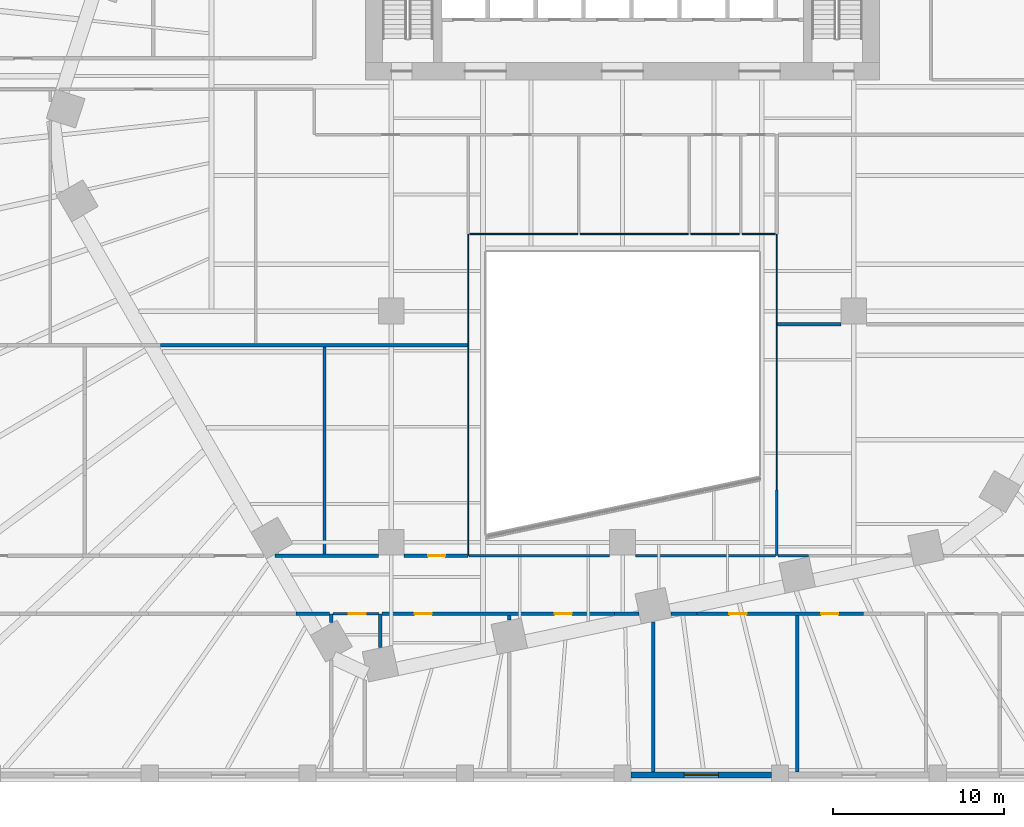
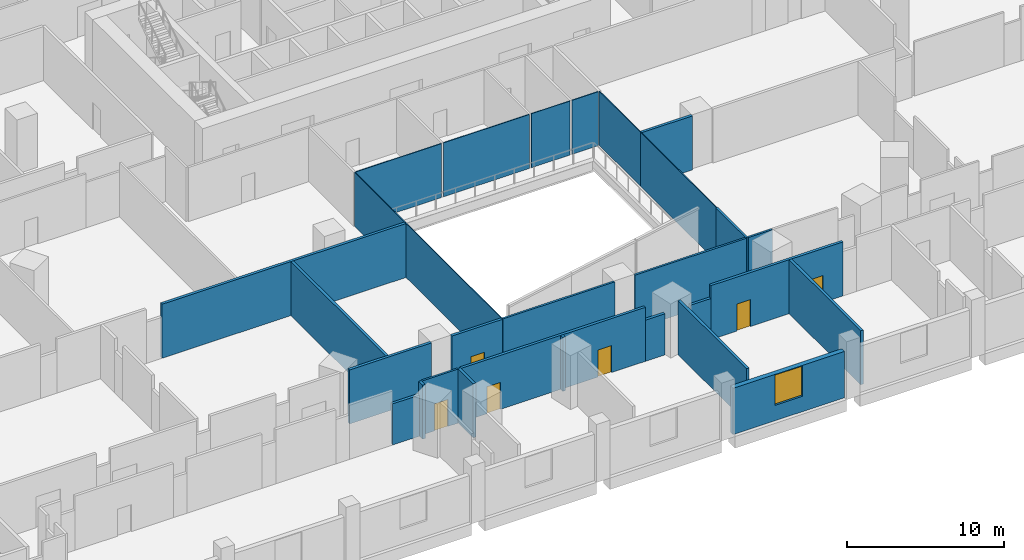
# One storey, part 15 of 29: 29 walls, 6 doors, 1 window, 7 openings.
"""IFC4 building model written with IfcOpenShell, lengths in metres."""

import ifcopenshell
import ifcopenshell.guid

model = None  # the IFC model being written
_history = None  # IfcOwnerHistory: only IFC2X3 demands one
_inside = {}  # id of a spatial element -> (the spatial element, [elements in it])
_under = {}  # id of a project, library or spatial element -> (it, [spatial elements below it])
_declared = {}  # id of a project -> (the project, [libraries it declares])
_typed = {}  # id of a type object -> (the type object, [elements of that type])
_made_of = {}  # id of a material, layer set ... -> (it, [elements and type objects made of it])


def new_model(schema):
    """Start an empty IFC model of exactly this schema.

    Asked for "IFC4X3", IfcOpenShell would pick the latest addendum, in which some entities
    have other attributes; the version numbers below select the first issue.
    IFC2X3 requires an IfcOwnerHistory on every rooted entity: one is made here for all.
    """
    global model, _history
    if schema == "IFC4X3":
        model = ifcopenshell.file(schema_version=(4, 3, 0, 0))
    else:
        model = ifcopenshell.file(schema=schema)
    _inside.clear()
    _under.clear()
    _declared.clear()
    _typed.clear()
    _made_of.clear()
    _history = None
    if model.schema == "IFC2X3":
        org = make("IfcOrganization", Name="unknown")
        user = make(
            "IfcPersonAndOrganization",
            ThePerson=make("IfcPerson", FamilyName="unknown"),
            TheOrganization=org,
        )
        app = make(
            "IfcApplication",
            ApplicationDeveloper=org,
            Version="unknown",
            ApplicationFullName="unknown",
            ApplicationIdentifier="unknown",
        )
        _history = make(
            "IfcOwnerHistory",
            OwningUser=user,
            OwningApplication=app,
            ChangeAction="ADDED",
            CreationDate=0,
        )
    return model


def make(cls, **values):
    """One entity of the class cls with the attributes given. An attribute that is None is left unset."""
    return model.create_entity(
        cls, **{name: value for name, value in values.items() if value is not None}
    )


def rooted(cls, **values):
    """An entity with a GlobalId (a new one), such as an element, a storey or a relation."""
    return make(cls, GlobalId=ifcopenshell.guid.new(), OwnerHistory=_history, **values)


def si_unit(unit_type, name, prefix=None):
    """IfcSIUnit, for example si_unit("LENGTHUNIT", "METRE", prefix="MILLI")."""
    return make("IfcSIUnit", UnitType=unit_type, Prefix=prefix, Name=name)


def assignment(units):
    """IfcUnitAssignment: the units of a project."""
    return None if units is None else make("IfcUnitAssignment", Units=units)


def point(xyz):
    """IfcCartesianPoint."""
    return None if xyz is None else make("IfcCartesianPoint", Coordinates=xyz)


def direction(xyz):
    """IfcDirection."""
    return None if xyz is None else make("IfcDirection", DirectionRatios=xyz)


def frame(location, z_axis=None, x_axis=None):
    """IfcAxis2Placement3D, a coordinate frame: its origin and axes. An axis left out is left unset."""
    return make(
        "IfcAxis2Placement3D",
        Location=point(location),
        Axis=direction(z_axis),
        RefDirection=direction(x_axis),
    )


def frame_2d(location, x_axis=None):
    """IfcAxis2Placement2D, a coordinate frame in the plane: its origin and x axis."""
    return make(
        "IfcAxis2Placement2D", Location=point(location), RefDirection=direction(x_axis)
    )


def origin():
    """The frame at (0, 0, 0) with its axes left unset."""
    return frame((0.0, 0.0, 0.0))


def place(relative_to, where):
    """IfcLocalPlacement: puts the frame where relative to a parent placement (None: the world)."""
    return make(
        "IfcLocalPlacement", PlacementRelTo=relative_to, RelativePlacement=where
    )


def context(
    kind, dimensions, precision=None, world=None, true_north=None, identifier=None
):
    """IfcGeometricRepresentationContext, for example the 3D "Model" context."""
    return make(
        "IfcGeometricRepresentationContext",
        ContextIdentifier=identifier,
        ContextType=kind,
        CoordinateSpaceDimension=dimensions,
        Precision=precision,
        WorldCoordinateSystem=world,
        TrueNorth=true_north,
    )


def subcontext(parent, identifier, kind, view, scale=None):
    """IfcGeometricRepresentationSubContext, for example "Body" below "Model"."""
    return make(
        "IfcGeometricRepresentationSubContext",
        ContextIdentifier=identifier,
        ContextType=kind,
        ParentContext=parent,
        TargetScale=scale,
        TargetView=view,
    )


def project(units=None, contexts=None):
    """IfcProject with its units and contexts."""
    return rooted(
        "IfcProject",
        Name="project",
        RepresentationContexts=contexts,
        UnitsInContext=assignment(units),
    )


def spatial(cls, under=None, at=None, **own):
    """A site, building, storey or space (cls), placed at a placement, below another one or the project."""
    s = rooted(cls, ObjectPlacement=at, **own)
    if under is not None:
        _under.setdefault(under.id(), (under, []))[1].append(s)
    return s


def profile(cls, at=None, kind="AREA", **sizes):
    """A parametric profile (cls). Its sizes go by their IFC names, for example OverallWidth=200.0."""
    return make(cls, ProfileType=kind, Position=at, **sizes)


def rectangle(**sizes):
    """IfcRectangleProfileDef."""
    return profile("IfcRectangleProfileDef", **sizes)


def extrude(swept, where, along, depth):
    """IfcExtrudedAreaSolid: the profile swept, set in the frame where, extruded along a direction by depth."""
    return make(
        "IfcExtrudedAreaSolid",
        SweptArea=swept,
        Position=where,
        ExtrudedDirection=direction(along),
        Depth=depth,
    )


def shape(context_of_items, identifier, shape_type, items):
    """IfcShapeRepresentation: the items that make up one representation, for example the "Body"."""
    return make(
        "IfcShapeRepresentation",
        ContextOfItems=context_of_items,
        RepresentationIdentifier=identifier,
        RepresentationType=shape_type,
        Items=items,
    )


def material(Name=None, Category=None):
    """IfcMaterial."""
    return make("IfcMaterial", Name=Name, Category=Category)


def layer(
    of_material, thickness, ventilated=None, Name=None, Category=None, Priority=None
):
    """IfcMaterialLayer: one layer of a wall or slab, of a material (None: an air gap)."""
    return make(
        "IfcMaterialLayer",
        Material=of_material,
        LayerThickness=thickness,
        IsVentilated=ventilated,
        Name=Name,
        Category=Category,
        Priority=Priority,
    )


def layer_set(layers, Name=None):
    """IfcMaterialLayerSet."""
    return make("IfcMaterialLayerSet", MaterialLayers=layers, LayerSetName=Name)


def made_of(thing, what):
    """Note that an element or type object is made of a material, layer set ...; save() writes the relation."""
    if what is not None:
        _made_of.setdefault(what.id(), (what, []))[1].append(thing)
    return thing


def type_object(cls, material=None, **own):
    """A type object (cls), such as IfcWallType, which elements share."""
    return made_of(rooted(cls, **own), material)


def element(
    cls,
    number,
    at=None,
    inside=None,
    cuts=None,
    type_object=None,
    material=None,
    context=None,
    identifier="Body",
    shape_type=None,
    held_by="IfcProductDefinitionShape",
    body=None,
    shapes=None,
    **own,
):
    """One element of the class cls, such as IfcWall. Its Tag is "e" and its number.

    at: its placement. inside: the storey or other place that contains it. cuts: it is an
    opening in that element (IfcRelVoidsElement). A single representation is given by context,
    identifier, shape_type and body (its items); several are given by shapes. held_by: the class
    of the entity that holds the representations. save() writes the other relations.
    """
    e = rooted(cls, Tag="e%d" % number, ObjectPlacement=at, **own)
    if body is not None:
        shapes = [shape(context, identifier, shape_type, body)]
    if shapes is not None:
        e.Representation = make(held_by, Representations=shapes)
    if inside is not None:
        _inside.setdefault(inside.id(), (inside, []))[1].append(e)
    if cuts is not None:
        rooted(
            "IfcRelVoidsElement", RelatingBuildingElement=cuts, RelatedOpeningElement=e
        )
    if type_object is not None:
        _typed.setdefault(type_object.id(), (type_object, []))[1].append(e)
    return made_of(e, material)


def fill(opening, filler):
    """IfcRelFillsElement: the door or window that sits in an opening."""
    return rooted(
        "IfcRelFillsElement",
        RelatingOpeningElement=opening,
        RelatedBuildingElement=filler,
    )


def aggregate(whole, parts):
    """IfcRelAggregates: a whole, such as a stair, and the parts it consists of."""
    return rooted("IfcRelAggregates", RelatingObject=whole, RelatedObjects=parts)


def save(model, path):
    """Write the relations noted so far, then the file.

    IfcRelAggregates (storeys below a building ...), IfcRelContainedInSpatialStructure (elements
    in a storey), IfcRelDefinesByType, IfcRelAssociatesMaterial and IfcRelDeclares: one each for
    every whole, place, type object, material and project.
    """
    for whole, parts in _under.values():
        aggregate(whole, parts)
    for where, things in _inside.values():
        rooted(
            "IfcRelContainedInSpatialStructure",
            RelatedElements=things,
            RelatingStructure=where,
        )
    for kind, things in _typed.values():
        rooted("IfcRelDefinesByType", RelatedObjects=things, RelatingType=kind)
    for what, things in _made_of.values():
        rooted("IfcRelAssociatesMaterial", RelatedObjects=things, RelatingMaterial=what)
    for by, libraries in _declared.values():
        rooted("IfcRelDeclares", RelatingContext=by, RelatedDefinitions=libraries)
    model.write(path)


model = new_model("IFC4")

# Units and contexts
model_context = context("Model", 3, precision=1e-05, world=origin(), true_north=direction((0.0, 1.0)))
body_context = subcontext(model_context, "Body", "Model", "MODEL_VIEW")
ifc_project = project(units=[si_unit("LENGTHUNIT", "METRE"), si_unit("AREAUNIT", "SQUARE_METRE"), si_unit("VOLUMEUNIT", "CUBIC_METRE"), si_unit("PLANEANGLEUNIT", "RADIAN"), si_unit("MASSUNIT", "GRAM", prefix="KILO")], contexts=[model_context])

# Site, building, storey
site_placement = place(None, origin())
site = spatial("IfcSite", under=ifc_project, at=site_placement, CompositionType="ELEMENT")
building_placement = place(site_placement, origin())
building = spatial("IfcBuilding", under=site, at=building_placement, Name="Isthmus Gate Tower", CompositionType="ELEMENT")
storey_placement = place(building_placement, frame((0.0, 0.0, 27.0)))
storey = spatial("IfcBuildingStorey", under=building, at=storey_placement, Name="L04", CompositionType="ELEMENT", Elevation=27.0)

# Wall
ifc_material_1 = material(Name="Concrete f'c 30 MPa", Category="concrete")
ifc_layer_1 = layer(ifc_material_1, 0.199951171875)
ifc_layer_set_1 = layer_set([ifc_layer_1], Name="Fire-rated block wall 200")
wall_type_1 = type_object("IfcWallType", Name="Fire-rated block wall 200", PredefinedType="PARTITIONING", material=ifc_layer_set_1)
wall_1_placement = place(storey_placement, frame((-19.064697265625, -31.178955078125, 0.0), z_axis=(0.0, 0.0, 1.0), x_axis=(1.0, 0.0, 0.0)))
element("IfcWall", 1, at=wall_1_placement, inside=storey, type_object=wall_type_1, Name="Fire-rated wall", PredefinedType="PARTITIONING", context=body_context, shape_type="SweptSolid", body=[
    extrude(rectangle(XDim=1.9697265625, YDim=0.199951171875, at=frame_2d((0.98486328125, 0.0))), origin(), (0.0, 0.0, 1.0), 3.199951171875),
])

# Wall, openings, doors
wall_2_placement = place(storey_placement, frame((-14.031982421875, -31.178955078125, 0.0), z_axis=(0.0, 0.0, 1.0), x_axis=(1.0, 0.0, 0.0)))
wall_2 = element("IfcWall", 2, at=wall_2_placement, inside=storey, type_object=wall_type_1, Name="Fire-rated wall", PredefinedType="PARTITIONING", context=body_context, shape_type="SweptSolid", body=[
    extrude(rectangle(XDim=13.565673828125, YDim=0.199951171875, at=frame_2d((6.78271484375, 0.0))), origin(), (0.0, 0.0, 1.0), 4.199951171875),
])
opening_1_placement = place(wall_2_placement, frame((1.89990234375, 0.0, 0.0)))
opening_1 = element("IfcOpeningElement", 3, at=opening_1_placement, cuts=wall_2, Name="Opening DP04-45", PredefinedType="OPENING", context=body_context, shape_type="SweptSolid", body=[
    extrude(rectangle(XDim=1.0, YDim=2.10009765625, at=frame_2d((0.5, 1.050048828125))), frame((0.0, 0.10986328125, 0.0), z_axis=(0.0, -1.0, 0.0), x_axis=(1.0, 0.0, 0.0)), (0.0, 0.0, 1.0), 0.219970703125),
])
opening_2_placement = place(wall_2_placement, frame((10.071044921875, 0.0, 0.0)))
opening_2 = element("IfcOpeningElement", 4, at=opening_2_placement, cuts=wall_2, Name="Opening DP04-46", PredefinedType="OPENING", context=body_context, shape_type="SweptSolid", body=[
    extrude(rectangle(XDim=1.0, YDim=2.10009765625, at=frame_2d((0.5, 1.050048828125))), frame((0.0, 0.10986328125, 0.0), z_axis=(0.0, -1.0, 0.0), x_axis=(1.0, 0.0, 0.0)), (0.0, 0.0, 1.0), 0.219970703125),
])
ifc_material_2 = material(Name="Steel fire door with intumescent seals", Category="steel")
door_type_1 = type_object("IfcDoorType", Name="Fire door 1000 x 2100", OperationType="SINGLE_SWING_LEFT", PredefinedType="DOOR", material=ifc_material_2)
door_1_placement = place(opening_1_placement, origin())
door_1 = element("IfcDoor", 5, at=door_1_placement, inside=storey, type_object=door_type_1, Name="Door DP04-45", OperationType="SINGLE_SWING_LEFT", OverallHeight=2.10009765625, OverallWidth=1.0, PredefinedType="DOOR", context=body_context, shape_type="SweptSolid", body=[
    extrude(rectangle(XDim=1.0, YDim=2.10009765625, at=frame_2d((0.5, 1.050048828125))), frame((0.0, 0.02490234375, 0.0), z_axis=(0.0, -1.0, 0.0), x_axis=(1.0, 0.0, 0.0)), (0.0, 0.0, 1.0), 0.050048828125),
])
fill(opening_1, door_1)
door_2_placement = place(opening_2_placement, origin())
door_2 = element("IfcDoor", 6, at=door_2_placement, inside=storey, type_object=door_type_1, Name="Door DP04-46", OperationType="SINGLE_SWING_LEFT", OverallHeight=2.10009765625, OverallWidth=1.0, PredefinedType="DOOR", context=body_context, shape_type="SweptSolid", body=[
    extrude(rectangle(XDim=1.0, YDim=2.10009765625, at=frame_2d((0.5, 1.050048828125))), frame((0.0, 0.02490234375, 0.0), z_axis=(0.0, -1.0, 0.0), x_axis=(1.0, 0.0, 0.0)), (0.0, 0.0, 1.0), 0.050048828125),
])
fill(opening_2, door_2)

# Walls
wall_3_placement = place(storey_placement, frame((-0.46630859375, -31.178955078125, 0.0), z_axis=(0.0, 0.0, 1.0), x_axis=(1.0, 0.0, 0.0)))
element("IfcWall", 7, at=wall_3_placement, inside=storey, type_object=wall_type_1, Name="Fire-rated wall", PredefinedType="PARTITIONING", context=body_context, shape_type="SweptSolid", body=[
    extrude(rectangle(XDim=1.41748046875, YDim=0.199951171875, at=frame_2d((0.708740234375, 0.0))), origin(), (0.0, 0.0, 1.0), 3.199951171875),
])
wall_4_placement = place(storey_placement, frame((2.833984375, -31.178955078125, 0.0), z_axis=(0.0, 0.0, 1.0), x_axis=(1.0, 0.0, 0.0)))
element("IfcWall", 8, at=wall_4_placement, inside=storey, type_object=wall_type_1, Name="Fire-rated wall", PredefinedType="PARTITIONING", context=body_context, shape_type="SweptSolid", body=[
    extrude(rectangle(XDim=1.509521484375, YDim=0.199951171875, at=frame_2d((0.7548828125, 0.0))), origin(), (0.0, 0.0, 1.0), 3.199951171875),
])

# Wall, openings, doors
wall_5_placement = place(storey_placement, frame((4.343505859375, -31.178955078125, 0.0), z_axis=(0.0, 0.0, 1.0), x_axis=(1.0, 0.0, 0.0)))
wall_5 = element("IfcWall", 9, at=wall_5_placement, inside=storey, type_object=wall_type_1, Name="Fire-rated wall", PredefinedType="PARTITIONING", context=body_context, shape_type="SweptSolid", body=[
    extrude(rectangle(XDim=9.71826171875, YDim=0.199951171875, at=frame_2d((4.859130859375, 0.0))), origin(), (0.0, 0.0, 1.0), 4.199951171875),
])
opening_3_placement = place(wall_5_placement, frame((1.89990234375, 0.0, 0.0)))
opening_3 = element("IfcOpeningElement", 10, at=opening_3_placement, cuts=wall_5, Name="Opening DP04-47", PredefinedType="OPENING", context=body_context, shape_type="SweptSolid", body=[
    extrude(rectangle(XDim=1.0, YDim=2.10009765625, at=frame_2d((0.5, 1.050048828125))), frame((0.0, 0.10986328125, 0.0), z_axis=(0.0, -1.0, 0.0), x_axis=(1.0, 0.0, 0.0)), (0.0, 0.0, 1.0), 0.219970703125),
])
opening_4_placement = place(wall_5_placement, frame((7.24853515625, 0.0, 0.0)))
opening_4 = element("IfcOpeningElement", 11, at=opening_4_placement, cuts=wall_5, Name="Opening DP04-48", PredefinedType="OPENING", context=body_context, shape_type="SweptSolid", body=[
    extrude(rectangle(XDim=1.0, YDim=2.10009765625, at=frame_2d((0.5, 1.050048828125))), frame((0.0, 0.10986328125, 0.0), z_axis=(0.0, -1.0, 0.0), x_axis=(1.0, 0.0, 0.0)), (0.0, 0.0, 1.0), 0.219970703125),
])
door_3_placement = place(opening_3_placement, origin())
door_3 = element("IfcDoor", 12, at=door_3_placement, inside=storey, type_object=door_type_1, Name="Door DP04-47", OperationType="SINGLE_SWING_LEFT", OverallHeight=2.10009765625, OverallWidth=1.0, PredefinedType="DOOR", context=body_context, shape_type="SweptSolid", body=[
    extrude(rectangle(XDim=1.0, YDim=2.10009765625, at=frame_2d((0.5, 1.050048828125))), frame((0.0, 0.02490234375, 0.0), z_axis=(0.0, -1.0, 0.0), x_axis=(1.0, 0.0, 0.0)), (0.0, 0.0, 1.0), 0.050048828125),
])
fill(opening_3, door_3)
door_4_placement = place(opening_4_placement, origin())
door_4 = element("IfcDoor", 13, at=door_4_placement, inside=storey, type_object=door_type_1, Name="Door DP04-48", OperationType="SINGLE_SWING_LEFT", OverallHeight=2.10009765625, OverallWidth=1.0, PredefinedType="DOOR", context=body_context, shape_type="SweptSolid", body=[
    extrude(rectangle(XDim=1.0, YDim=2.10009765625, at=frame_2d((0.5, 1.050048828125))), frame((0.0, 0.02490234375, 0.0), z_axis=(0.0, -1.0, 0.0), x_axis=(1.0, 0.0, 0.0)), (0.0, 0.0, 1.0), 0.050048828125),
])
fill(opening_4, door_4)

# Wall
wall_6_placement = place(storey_placement, frame((-20.276123046875, -27.779052734375, 0.0), z_axis=(0.0, 0.0, 1.0), x_axis=(1.0, 0.0, 0.0)))
element("IfcWall", 14, at=wall_6_placement, inside=storey, type_object=wall_type_1, Name="Fire-rated wall", PredefinedType="PARTITIONING", context=body_context, shape_type="SweptSolid", body=[
    extrude(rectangle(XDim=6.026123046875, YDim=0.199951171875, at=frame_2d((3.01318359375, 0.0))), origin(), (0.0, 0.0, 1.0), 4.199951171875),
])

# Wall, opening, door
wall_7_placement = place(storey_placement, frame((-12.75, -27.779052734375, 0.0), z_axis=(0.0, 0.0, 1.0), x_axis=(1.0, 0.0, 0.0)))
wall_7 = element("IfcWall", 15, at=wall_7_placement, inside=storey, type_object=wall_type_1, Name="Fire-rated wall", PredefinedType="PARTITIONING", context=body_context, shape_type="SweptSolid", body=[
    extrude(rectangle(XDim=3.719970703125, YDim=0.199951171875, at=frame_2d((1.85986328125, 0.0))), origin(), (0.0, 0.0, 1.0), 4.199951171875),
])
opening_5_placement = place(wall_7_placement, frame((1.39990234375, 0.0, 0.0)))
opening_5 = element("IfcOpeningElement", 16, at=opening_5_placement, cuts=wall_7, Name="Opening DP04-21", PredefinedType="OPENING", context=body_context, shape_type="SweptSolid", body=[
    extrude(rectangle(XDim=1.0, YDim=2.10009765625, at=frame_2d((0.5, 1.050048828125))), frame((0.0, 0.10986328125, 0.0), z_axis=(0.0, -1.0, 0.0), x_axis=(1.0, 0.0, 0.0)), (0.0, 0.0, 1.0), 0.219970703125),
])
door_5_placement = place(opening_5_placement, origin())
door_5 = element("IfcDoor", 17, at=door_5_placement, inside=storey, type_object=door_type_1, Name="Door DP04-21", OperationType="SINGLE_SWING_LEFT", OverallHeight=2.10009765625, OverallWidth=1.0, PredefinedType="DOOR", context=body_context, shape_type="SweptSolid", body=[
    extrude(rectangle(XDim=1.0, YDim=2.10009765625, at=frame_2d((0.5, 1.050048828125))), frame((0.0, 0.02490234375, 0.0), z_axis=(0.0, -1.0, 0.0), x_axis=(1.0, 0.0, 0.0)), (0.0, 0.0, 1.0), 0.050048828125),
])
fill(opening_5, door_5)

# Walls
wall_8_placement = place(storey_placement, frame((-26.968505859375, -15.489013671875, 0.0), z_axis=(0.0, 0.0, 1.0), x_axis=(1.0, 0.0, 0.0)))
element("IfcWall", 18, at=wall_8_placement, inside=storey, type_object=wall_type_1, Name="Fire-rated wall", PredefinedType="PARTITIONING", context=body_context, shape_type="SweptSolid", body=[
    extrude(rectangle(XDim=17.9384765625, YDim=0.199951171875, at=frame_2d((8.96923828125, 0.0))), origin(), (0.0, 0.0, 1.0), 4.199951171875),
])
wall_9_placement = place(storey_placement, frame((9.030029296875, -14.260986328125, 0.0), z_axis=(0.0, 0.0, 1.0), x_axis=(1.0, 0.0, 0.0)))
element("IfcWall", 19, at=wall_9_placement, inside=storey, type_object=wall_type_1, Name="Fire-rated wall", PredefinedType="PARTITIONING", context=body_context, shape_type="SweptSolid", body=[
    extrude(rectangle(XDim=3.719970703125, YDim=0.199951171875, at=frame_2d((1.85986328125, 0.0))), origin(), (0.0, 0.0, 1.0), 4.199951171875),
])
wall_10_placement = place(storey_placement, frame((-17.39990234375, -27.678955078125, 0.0), z_axis=(0.0, 0.0, 1.0), x_axis=(0.0, 1.0, 0.0)))
element("IfcWall", 20, at=wall_10_placement, inside=storey, type_object=wall_type_1, Name="Fire-rated wall", PredefinedType="PARTITIONING", context=body_context, shape_type="SweptSolid", body=[
    extrude(rectangle(XDim=12.08984375, YDim=0.199951171875, at=frame_2d((6.044921875, 0.0))), origin(), (0.0, 0.0, 1.0), 4.199951171875),
])
wall_11_placement = place(storey_placement, frame((-16.9951171875, -31.666259765625, 0.0), z_axis=(0.0, 0.0, 1.0), x_axis=(0.0, 1.0, 0.0)))
element("IfcWall", 21, at=wall_11_placement, inside=storey, type_object=wall_type_1, Name="Fire-rated wall", PredefinedType="PARTITIONING", context=body_context, shape_type="SweptSolid", body=[
    extrude(rectangle(XDim=0.4873046875, YDim=0.199951171875, at=frame_2d((0.24365234375, 0.0))), origin(), (0.0, 0.0, 1.0), 4.199951171875),
])
wall_12_placement = place(storey_placement, frame((-14.132080078125, -33.142333984375, 0.0), z_axis=(0.0, 0.0, 1.0), x_axis=(0.0, 1.0, 0.0)))
element("IfcWall", 22, at=wall_12_placement, inside=storey, type_object=wall_type_1, Name="Fire-rated wall", PredefinedType="PARTITIONING", context=body_context, shape_type="SweptSolid", body=[
    extrude(rectangle(XDim=1.96337890625, YDim=0.199951171875, at=frame_2d((0.981689453125, 0.0))), origin(), (0.0, 0.0, 1.0), 4.199951171875),
])
wall_13_placement = place(storey_placement, frame((-6.611083984375, -31.543701171875, 0.0), z_axis=(0.0, 0.0, 1.0), x_axis=(0.0, 1.0, 0.0)))
element("IfcWall", 23, at=wall_13_placement, inside=storey, type_object=wall_type_1, Name="Fire-rated wall", PredefinedType="PARTITIONING", context=body_context, shape_type="SweptSolid", body=[
    extrude(rectangle(XDim=0.2646484375, YDim=0.199951171875, at=frame_2d((0.13232421875, 0.0))), origin(), (0.0, 0.0, 1.0), 4.199951171875),
])
wall_14_placement = place(storey_placement, frame((1.791015625, -40.39990234375, 0.0), z_axis=(0.0, 0.0, 1.0), x_axis=(0.0, 1.0, 0.0)))
element("IfcWall", 24, at=wall_14_placement, inside=storey, type_object=wall_type_1, Name="Fire-rated wall", PredefinedType="PARTITIONING", context=body_context, shape_type="SweptSolid", body=[
    extrude(rectangle(XDim=8.75927734375, YDim=0.199951171875, at=frame_2d((4.379638671875, 0.0))), origin(), (0.0, 0.0, 1.0), 4.199951171875),
])
wall_15_placement = place(storey_placement, frame((10.19189453125, -40.39990234375, 0.0), z_axis=(0.0, 0.0, 1.0), x_axis=(0.0, 1.0, 0.0)))
element("IfcWall", 25, at=wall_15_placement, inside=storey, type_object=wall_type_1, Name="Fire-rated wall", PredefinedType="PARTITIONING", context=body_context, shape_type="SweptSolid", body=[
    extrude(rectangle(XDim=9.120849609375, YDim=0.199951171875, at=frame_2d((4.560546875, 0.0))), origin(), (0.0, 0.0, 1.0), 4.199951171875),
])
ifc_material_3 = material(Name="Fire-rated laminated glass in steel frame", Category="steel")
ifc_layer_2 = layer(ifc_material_3, 0.06005859375)
ifc_layer_set_2 = layer_set([ifc_layer_2], Name="Fire-rated glazed atrium screen 60")
wall_type_2 = type_object("IfcWallType", Name="Fire-rated glazed atrium screen 60", PredefinedType="PARTITIONING", material=ifc_layer_set_2)
for number, where, z_axis, x_axis, name in (
    (26, (-8.925048828125, -9.0, 0.0), (0.0, 0.0, 1.0), (1.0, 0.0, 0.0), "Atrium screen"),
    (27, (-2.47509765625, -9.0, 0.0), (0.0, 0.0, 1.0), (1.0, 0.0, 0.0), "Atrium screen"),
):
    element("IfcWall", number, at=place(storey_placement, frame(where, z_axis=z_axis, x_axis=x_axis)), inside=storey, type_object=wall_type_2, Name=name, PredefinedType="PARTITIONING", context=body_context, shape_type="SweptSolid", body=[
        extrude(rectangle(XDim=6.300048828125, YDim=0.06005859375, at=frame_2d((3.14990234375, 0.0))), origin(), (0.0, 0.0, 1.0), 4.199951171875),
    ])
wall_16_placement = place(storey_placement, frame((3.97509765625, -9.0, 0.0), z_axis=(0.0, 0.0, 1.0), x_axis=(1.0, 0.0, 0.0)))
element("IfcWall", 28, at=wall_16_placement, inside=storey, type_object=wall_type_2, Name="Atrium screen", PredefinedType="PARTITIONING", context=body_context, shape_type="SweptSolid", body=[
    extrude(rectangle(XDim=2.849853515625, YDim=0.06005859375, at=frame_2d((1.4248046875, 0.0))), origin(), (0.0, 0.0, 1.0), 4.199951171875),
])
wall_17_placement = place(storey_placement, frame((6.97509765625, -9.0, 0.0), z_axis=(0.0, 0.0, 1.0), x_axis=(1.0, 0.0, 0.0)))
element("IfcWall", 29, at=wall_17_placement, inside=storey, type_object=wall_type_2, Name="Atrium screen", PredefinedType="PARTITIONING", context=body_context, shape_type="SweptSolid", body=[
    extrude(rectangle(XDim=1.9248046875, YDim=0.06005859375, at=frame_2d((0.96240234375, 0.0))), origin(), (0.0, 0.0, 1.0), 4.199951171875),
])
wall_18_placement = place(storey_placement, frame((-9.0, -27.778076171875, 0.0), z_axis=(0.0, 0.0, 1.0), x_axis=(0.0, 1.0, 0.0)))
element("IfcWall", 30, at=wall_18_placement, inside=storey, type_object=wall_type_2, Name="Atrium screen", PredefinedType="PARTITIONING", context=body_context, shape_type="SweptSolid", body=[
    extrude(rectangle(XDim=12.28759765625, YDim=0.06005859375, at=frame_2d((6.143798828125, 0.0))), origin(), (0.0, 0.0, 1.0), 4.199951171875),
])
wall_19_placement = place(storey_placement, frame((-9.0, -15.488525390625, 0.0), z_axis=(0.0, 0.0, 1.0), x_axis=(0.0, 1.0, 0.0)))
element("IfcWall", 31, at=wall_19_placement, inside=storey, type_object=wall_type_2, Name="Atrium screen", PredefinedType="PARTITIONING", context=body_context, shape_type="SweptSolid", body=[
    extrude(rectangle(XDim=6.487548828125, YDim=0.06005859375, at=frame_2d((3.24365234375, 0.0))), origin(), (0.0, 0.0, 1.0), 4.199951171875),
])
wall_20_placement = place(storey_placement, frame((9.0, -23.952880859375, 0.0), z_axis=(0.0, 0.0, 1.0), x_axis=(0.0, 1.0, 0.0)))
element("IfcWall", 32, at=wall_20_placement, inside=storey, type_object=wall_type_2, Name="Atrium screen", PredefinedType="PARTITIONING", context=body_context, shape_type="SweptSolid", body=[
    extrude(rectangle(XDim=9.69140625, YDim=0.06005859375, at=frame_2d((4.845703125, 0.0))), origin(), (0.0, 0.0, 1.0), 4.199951171875),
])
wall_21_placement = place(storey_placement, frame((9.0, -14.259521484375, 0.0), z_axis=(0.0, 0.0, 1.0), x_axis=(0.0, 1.0, 0.0)))
element("IfcWall", 33, at=wall_21_placement, inside=storey, type_object=wall_type_2, Name="Atrium screen", PredefinedType="PARTITIONING", context=body_context, shape_type="SweptSolid", body=[
    extrude(rectangle(XDim=5.258544921875, YDim=0.06005859375, at=frame_2d((2.62939453125, 0.0))), origin(), (0.0, 0.0, 1.0), 4.199951171875),
])

# Wall, opening, window
ifc_material_4 = material(Name="Precast concrete C40/50, limestone-faced", Category="masonry")
ifc_layer_3 = layer(ifc_material_4, 0.35009765625)
ifc_layer_set_3 = layer_set([ifc_layer_3], Name="PODIUM CLADDING WALL 350")
wall_type_3 = type_object("IfcWallType", Name="PODIUM CLADDING WALL 350", PredefinedType="SOLIDWALL", material=ifc_layer_set_3)
wall_22_placement = place(storey_placement, frame((0.5, -40.574951171875, -0.300048828125), z_axis=(0.0, 0.0, 1.0), x_axis=(1.0, 0.0, 0.0)))
wall_22 = element("IfcWall", 34, at=wall_22_placement, inside=storey, type_object=wall_type_3, Name="PODIUM WALL", PredefinedType="SOLIDWALL", context=body_context, shape_type="SweptSolid", body=[
    extrude(rectangle(XDim=8.199951171875, YDim=0.35009765625, at=frame_2d((4.10009765625, 0.0))), origin(), (0.0, 0.0, 1.0), 3.60009765625),
])
opening_6_placement = place(wall_22_placement, frame((3.10009765625, 0.0, 1.199951171875)))
opening_6 = element("IfcOpeningElement", 35, at=opening_6_placement, cuts=wall_22, Name="Opening W067", PredefinedType="OPENING", context=body_context, shape_type="SweptSolid", body=[
    extrude(rectangle(XDim=2.0, YDim=2.35009765625, at=frame_2d((1.0, 1.175048828125))), frame((0.0, 0.18505859375, 0.0), z_axis=(0.0, -1.0, 0.0), x_axis=(1.0, 0.0, 0.0)), (0.0, 0.0, 1.0), 0.3701171875),
])
ifc_material_5 = material(Name="Aluminium, pale champagne anodised, laminated glass", Category="aluminium")
window_type = type_object("IfcWindowType", Name="PODIUM SLOT WINDOW 2000 X 2350", PartitioningType="SINGLE_PANEL", PredefinedType="WINDOW", material=ifc_material_5)
window_placement = place(opening_6_placement, origin())
window = element("IfcWindow", 36, at=window_placement, inside=storey, type_object=window_type, Name="SLOT WINDOW", OverallHeight=2.35009765625, OverallWidth=2.0, PartitioningType="SINGLE_PANEL", PredefinedType="WINDOW", context=body_context, shape_type="SweptSolid", body=[
    extrude(rectangle(XDim=2.0, YDim=2.35009765625, at=frame_2d((1.0, 1.175048828125))), frame((0.0, 0.030029296875, 0.0), z_axis=(0.0, -1.0, 0.0), x_axis=(1.0, 0.0, 0.0)), (0.0, 0.0, 1.0), 0.06005859375),
])
fill(opening_6, window)

# Wall, opening, door
ifc_material_6 = material(Name="Gypsum board on cold-formed steel studs", Category="steel")
ifc_layer_4 = layer(ifc_material_6, 0.14990234375)
ifc_layer_set_4 = layer_set([ifc_layer_4])
wall_type_4 = type_object("IfcWallType", Name="Partition 150 gypsum board on steel studs", PredefinedType="PARTITIONING", material=ifc_layer_set_4)
wall_23_placement = place(storey_placement, frame((-16.89501953125, -31.178955078125, 0.0), z_axis=(0.0, 0.0, 1.0), x_axis=(1.0, 0.0, 0.0)))
wall_23 = element("IfcWall", 37, at=wall_23_placement, inside=storey, type_object=wall_type_4, Name="Partition", PredefinedType="PARTITIONING", context=body_context, shape_type="SweptSolid", body=[
    extrude(rectangle(XDim=2.6630859375, YDim=0.14990234375, at=frame_2d((1.33154296875, 0.0))), origin(), (0.0, 0.0, 1.0), 4.199951171875),
])
opening_7_placement = place(wall_23_placement, frame((0.89990234375, 0.0, 0.0)))
opening_7 = element("IfcOpeningElement", 38, at=opening_7_placement, cuts=wall_23, Name="Opening DP04-44", PredefinedType="OPENING", context=body_context, shape_type="SweptSolid", body=[
    extrude(rectangle(XDim=1.0, YDim=2.10009765625, at=frame_2d((0.5, 1.050048828125))), frame((0.0, 0.0849609375, 0.0), z_axis=(0.0, -1.0, 0.0), x_axis=(1.0, 0.0, 0.0)), (0.0, 0.0, 1.0), 0.169921875),
])
ifc_material_7 = material(Name="Hollow metal frame with solid-core timber leaf", Category="wood")
door_type_2 = type_object("IfcDoorType", Name="Single swing door 1000 x 2100", OperationType="SINGLE_SWING_LEFT", PredefinedType="DOOR", material=ifc_material_7)
door_6_placement = place(opening_7_placement, origin())
door_6 = element("IfcDoor", 39, at=door_6_placement, inside=storey, type_object=door_type_2, Name="Door DP04-44", OperationType="SINGLE_SWING_LEFT", OverallHeight=2.10009765625, OverallWidth=1.0, PredefinedType="DOOR", context=body_context, shape_type="SweptSolid", body=[
    extrude(rectangle(XDim=1.0, YDim=2.10009765625, at=frame_2d((0.5, 1.050048828125))), frame((0.0, 0.02490234375, 0.0), z_axis=(0.0, -1.0, 0.0), x_axis=(1.0, 0.0, 0.0)), (0.0, 0.0, 1.0), 0.050048828125),
])
fill(opening_7, door_6)

# Walls
wall_24_placement = place(storey_placement, frame((-8.969970703125, -27.779052734375, 0.0), z_axis=(0.0, 0.0, 1.0), x_axis=(1.0, 0.0, 0.0)))
element("IfcWall", 40, at=wall_24_placement, inside=storey, type_object=wall_type_4, Name="Partition", PredefinedType="PARTITIONING", context=body_context, shape_type="SweptSolid", body=[
    extrude(rectangle(XDim=8.219970703125, YDim=0.14990234375, at=frame_2d((4.10986328125, 0.0))), origin(), (0.0, 0.0, 1.0), 4.199951171875),
])
wall_25_placement = place(storey_placement, frame((0.75, -27.779052734375, 0.0), z_axis=(0.0, 0.0, 1.0), x_axis=(1.0, 0.0, 0.0)))
element("IfcWall", 41, at=wall_25_placement, inside=storey, type_object=wall_type_4, Name="Partition", PredefinedType="PARTITIONING", context=body_context, shape_type="SweptSolid", body=[
    extrude(rectangle(XDim=8.175048828125, YDim=0.14990234375, at=frame_2d((4.08740234375, 0.0))), origin(), (0.0, 0.0, 1.0), 4.199951171875),
])
wall_26_placement = place(storey_placement, frame((9.074951171875, -27.779052734375, 0.0), z_axis=(0.0, 0.0, 1.0), x_axis=(1.0, 0.0, 0.0)))
element("IfcWall", 42, at=wall_26_placement, inside=storey, type_object=wall_type_4, Name="Partition", PredefinedType="PARTITIONING", context=body_context, shape_type="SweptSolid", body=[
    extrude(rectangle(XDim=1.77294921875, YDim=0.14990234375, at=frame_2d((0.886474609375, 0.0))), origin(), (0.0, 0.0, 1.0), 4.199951171875),
])
wall_27_placement = place(storey_placement, frame((9.0, -27.778076171875, 0.0), z_axis=(0.0, 0.0, 1.0), x_axis=(0.0, 1.0, 0.0)))
element("IfcWall", 43, at=wall_27_placement, inside=storey, type_object=wall_type_4, Name="Partition", PredefinedType="PARTITIONING", context=body_context, shape_type="SweptSolid", body=[
    extrude(rectangle(XDim=3.8251953125, YDim=0.14990234375, at=frame_2d((1.91259765625, 0.0))), origin(), (0.0, 0.0, 1.0), 4.199951171875),
])

save(model, "model.ifc")
